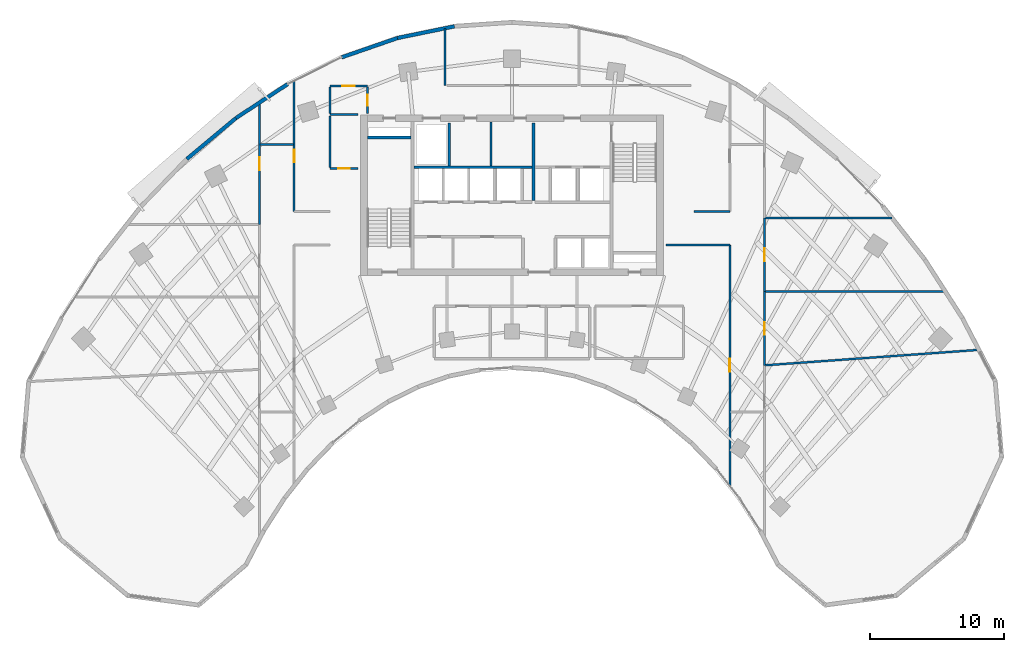
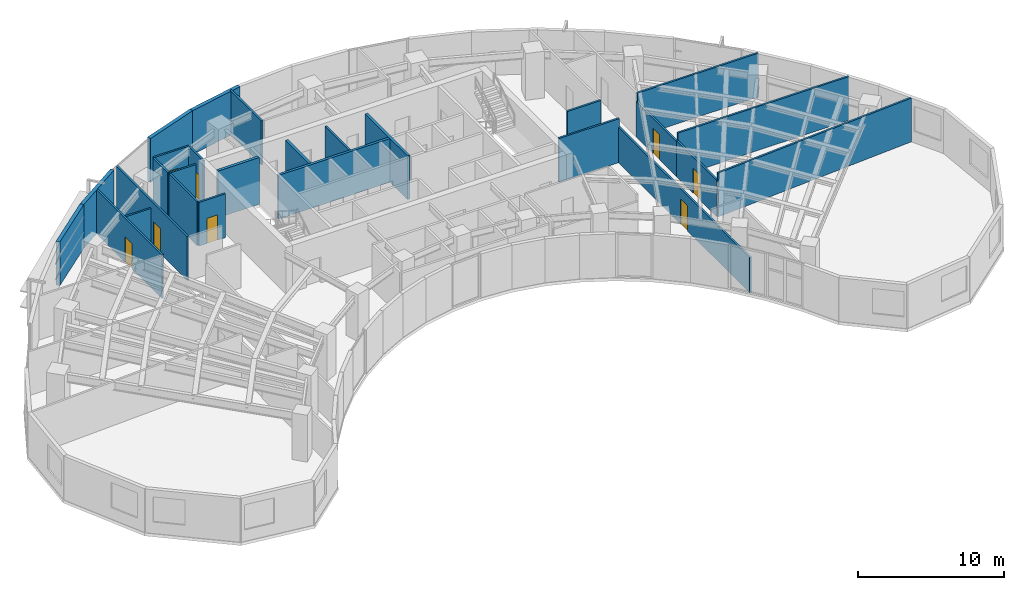
# One storey, part 10 of 14: 27 walls, 8 doors, 8 openings.
"""IFC4 building model written with IfcOpenShell, lengths in metres."""

from ifc_helpers import new_model, si_unit, direction, frame, frame_2d, origin, place, context, subcontext, project, spatial, rectangle, extrude, source, transform, mapped, material, layer, layer_set, type_object, type_shapes, element, fill, save


model = new_model("IFC4")

# Units and contexts
model_context = context("Model", 3, precision=1e-05, world=origin(), true_north=direction((0.0, 1.0)))
body_context = subcontext(model_context, "Body", "Model", "MODEL_VIEW")
ifc_project = project(units=[si_unit("LENGTHUNIT", "METRE"), si_unit("AREAUNIT", "SQUARE_METRE"), si_unit("VOLUMEUNIT", "CUBIC_METRE"), si_unit("PLANEANGLEUNIT", "RADIAN"), si_unit("MASSUNIT", "GRAM", prefix="KILO")], contexts=[model_context])

# Site, building, storey
site_placement = place(None, origin())
site = spatial("IfcSite", under=ifc_project, at=site_placement, CompositionType="ELEMENT")
building_placement = place(site_placement, origin())
building = spatial("IfcBuilding", under=site, at=building_placement, Name="Breltana Convention Tower", CompositionType="ELEMENT")
storey_placement = place(building_placement, frame((0.0, 0.0, 103.800048828125)))
storey = spatial("IfcBuildingStorey", under=building, at=storey_placement, Name="L24", CompositionType="ELEMENT", Elevation=103.800048828125)

# Walls
ifc_material_1 = material(Name="Concrete C50/60", Category="concrete")
ifc_layer_1 = layer(ifc_material_1, 0.39990234375, Name="Concrete C50/60")
ifc_layer_set_1 = layer_set([ifc_layer_1], Name="Concrete C50/60")
wall_type_1 = type_object("IfcWallType", Name="SW-CORE-400", PredefinedType="SHEAR", material=ifc_layer_set_1)
shared_shape_1 = source(origin(), body_context, "Body", "SweptSolid", [
    extrude(rectangle(XDim=3.27001953125, YDim=0.219970703125, at=frame_2d((1.635009765625, 0.0))), origin(), (0.0, 0.0, 1.0), 3.89990234375),
])
wall_1_placement = place(storey_placement, frame((37.199951171875, 70.510009765625, 0.0), z_axis=(0.0, 0.0, 1.0), x_axis=(1.0, 0.0, 0.0)))
element("IfcWall", 1, at=wall_1_placement, inside=storey, type_object=wall_type_1, Name="L24 ST-1 Stairwell North Bearing Wall", PredefinedType="SHEAR", context=body_context, shape_type="MappedRepresentation", body=[
    mapped(shared_shape_1, transform((0.0, 0.0, 0.0), scale=1.0)),
])
ifc_material_2 = material(Name="Limestone Buff Insulated Wall", Category="masonry")
ifc_layer_2 = layer(ifc_material_2, 0.280029296875, Name="Limestone Buff Insulated Wall")
ifc_layer_set_2 = layer_set([ifc_layer_2], Name="Limestone Buff Insulated Wall")
wall_type_2 = type_object("IfcWallType", Name="WL-EXT-NOSE-280", PredefinedType="SOLIDWALL", material=ifc_layer_set_2)
shared_shape_2 = source(origin(), body_context, "Body", "SweptSolid", [
    extrude(rectangle(XDim=4.76220703125, YDim=0.280029296875, at=frame_2d((2.381103515625, 0.0))), origin(), (0.0, 0.0, 1.0), 3.64990234375),
])
wall_2_placement = place(storey_placement, frame((23.724609375, 68.907470703125, 0.0), z_axis=(0.0, 0.0, 1.0), x_axis=(0.767952279762, 0.640507061638, 0.0)))
element("IfcWall", 2, at=wall_2_placement, inside=storey, type_object=wall_type_2, Name="L24 curved limestone nose wall E22", PredefinedType="SOLIDWALL", context=body_context, shape_type="MappedRepresentation", body=[
    mapped(shared_shape_2, transform((0.0, 0.0, 0.0), scale=1.0)),
])
shared_shape_3 = source(origin(), body_context, "Body", "SweptSolid", [
    extrude(rectangle(XDim=4.625732421875, YDim=0.280029296875, at=frame_2d((2.31298828125, 0.0))), origin(), (0.0, 0.0, 1.0), 3.64990234375),
])
wall_3_placement = place(storey_placement, frame((27.3818359375, 71.957763671875, 0.0), z_axis=(0.0, 0.0, 1.0), x_axis=(0.83595938331, 0.548791316855, 0.0)))
element("IfcWall", 3, at=wall_3_placement, inside=storey, type_object=wall_type_2, Name="L24 curved limestone nose wall E23", PredefinedType="SOLIDWALL", context=body_context, shape_type="MappedRepresentation", body=[
    mapped(shared_shape_3, transform((0.0, 0.0, 0.0), scale=1.0)),
])
shared_shape_4 = source(origin(), body_context, "Body", "SweptSolid", [
    extrude(rectangle(XDim=4.408935546875, YDim=0.280029296875, at=frame_2d((2.20458984375, 0.0))), origin(), (0.0, 0.0, 1.0), 3.64990234375),
])
wall_4_placement = place(storey_placement, frame((35.28564453125, 76.497314453125, 0.0), z_axis=(0.0, 0.0, 1.0), x_axis=(0.944879374121, 0.327418643881, 0.0)))
element("IfcWall", 4, at=wall_4_placement, inside=storey, type_object=wall_type_2, Name="L24 curved limestone nose wall E24", PredefinedType="SOLIDWALL", context=body_context, shape_type="MappedRepresentation", body=[
    mapped(shared_shape_4, transform((0.0, 0.0, 0.0), scale=1.0)),
])
shared_shape_5 = source(origin(), body_context, "Body", "SweptSolid", [
    extrude(rectangle(XDim=4.3408203125, YDim=0.280029296875, at=frame_2d((2.17041015625, 0.0))), origin(), (0.0, 0.0, 1.0), 3.64990234375),
])
wall_5_placement = place(storey_placement, frame((39.45166015625, 77.94091796875, 0.0), z_axis=(0.0, 0.0, 1.0), x_axis=(0.979612918634, 0.20089432457, 0.0)))
element("IfcWall", 5, at=wall_5_placement, inside=storey, type_object=wall_type_2, Name="L24 curved limestone nose wall E25", PredefinedType="SOLIDWALL", context=body_context, shape_type="MappedRepresentation", body=[
    mapped(shared_shape_5, transform((0.0, 0.0, 0.0), scale=1.0)),
])
ifc_material_3 = material(Name="Autoclaved Aerated Concrete Block", Category="concrete")
ifc_layer_3 = layer(ifc_material_3, 0.199951171875, Name="Autoclaved Aerated Concrete Block")
ifc_layer_set_3 = layer_set([ifc_layer_3], Name="Autoclaved Aerated Concrete Block")
wall_type_3 = type_object("IfcWallType", Name="WL-SHAFT-200", PredefinedType="SOLIDWALL", material=ifc_layer_set_3)
shared_shape_6 = source(origin(), body_context, "Body", "SweptSolid", [
    extrude(rectangle(XDim=5.800048828125, YDim=0.199951171875, at=frame_2d((2.89990234375, 0.0))), origin(), (0.0, 0.0, 1.0), 3.64990234375),
])
wall_6_placement = place(storey_placement, frame((49.60009765625, 65.800048828125, 0.0), z_axis=(0.0, 0.0, 1.0), x_axis=(0.0, 1.0, 0.0)))
element("IfcWall", 6, at=wall_6_placement, inside=storey, type_object=wall_type_3, Name="L24 interior partition W-L24-FFL-W", PredefinedType="SOLIDWALL", context=body_context, shape_type="MappedRepresentation", body=[
    mapped(shared_shape_6, transform((0.0, 0.0, 0.0), scale=1.0)),
])
shared_shape_7 = source(origin(), body_context, "Body", "SweptSolid", [
    extrude(rectangle(XDim=3.2001953125, YDim=0.199951171875, at=frame_2d((1.60009765625, 0.0))), origin(), (0.0, 0.0, 1.0), 3.64990234375),
])
wall_7_placement = place(storey_placement, frame((43.320068359375, 68.39990234375, 0.0), z_axis=(0.0, 0.0, 1.0), x_axis=(0.0, 1.0, 0.0)))
element("IfcWall", 7, at=wall_7_placement, inside=storey, type_object=wall_type_3, Name="L24 interior partition W-L24-SV-E", PredefinedType="SOLIDWALL", context=body_context, shape_type="MappedRepresentation", body=[
    mapped(shared_shape_7, transform((0.0, 0.0, 0.0), scale=1.0)),
])
shared_shape_8 = source(origin(), body_context, "Body", "SweptSolid", [
    extrude(rectangle(XDim=8.800048828125, YDim=0.199951171875, at=frame_2d((4.39990234375, 0.0))), origin(), (0.0, 0.0, 1.0), 3.64990234375),
])
wall_8_placement = place(storey_placement, frame((40.699951171875, 68.300048828125, 0.0), z_axis=(0.0, 0.0, 1.0), x_axis=(1.0, 0.0, 0.0)))
element("IfcWall", 8, at=wall_8_placement, inside=storey, type_object=wall_type_3, Name="L24 interior partition W-L24-SV-S", PredefinedType="SOLIDWALL", context=body_context, shape_type="MappedRepresentation", body=[
    mapped(shared_shape_8, transform((0.0, 0.0, 0.0), scale=1.0)),
])
ifc_material_4 = material(Name="Gypsum Acoustic Drywall Partition")
ifc_layer_4 = layer(ifc_material_4, 0.14990234375, Name="Gypsum Acoustic Drywall Partition")
ifc_layer_set_4 = layer_set([ifc_layer_4], Name="Gypsum Acoustic Drywall Partition")
wall_type_4 = type_object("IfcWallType", Name="WL-PART-150", PredefinedType="PARTITIONING", material=ifc_layer_set_4)
shared_shape_9 = source(origin(), body_context, "Body", "SweptSolid", [
    extrude(rectangle(XDim=2.5, YDim=0.14990234375, at=frame_2d((1.25, 0.0))), origin(), (0.0, 0.0, 1.0), 3.02197265625),
])
wall_9_placement = place(storey_placement, frame((29.199951171875, 70.0, 0.0), z_axis=(0.0, 0.0, 1.0), x_axis=(1.0, 0.0, 0.0)))
element("IfcWall", 9, at=wall_9_placement, inside=storey, type_object=wall_type_4, Name="L24 interior partition W-L24-CORNW-N", PredefinedType="PARTITIONING", context=body_context, shape_type="MappedRepresentation", body=[
    mapped(shared_shape_9, transform((0.0, 0.0, 0.0), scale=1.0)),
])

# Wall, opening, door
shared_shape_10 = source(origin(), body_context, "Body", "SweptSolid", [
    extrude(rectangle(XDim=9.113037109375, YDim=0.14990234375, at=frame_2d((4.556640625, 0.0))), origin(), (0.0, 0.0, 1.0), 3.64990234375),
])
wall_10_placement = place(storey_placement, frame((29.159912109375, 64.0, 0.0), z_axis=(0.0, 0.0, 1.0), x_axis=(0.0, 1.0, 0.0)))
wall_10 = element("IfcWall", 10, at=wall_10_placement, inside=storey, type_object=wall_type_4, Name="L24 interior partition W-L24-ZW4-E", PredefinedType="PARTITIONING", context=body_context, shape_type="MappedRepresentation", body=[
    mapped(shared_shape_10, transform((0.0, 0.0, 0.0), scale=1.0)),
])
opening_1_placement = place(wall_10_placement, frame((4.08154296875, 0.0, 0.0)))
opening_1 = element("IfcOpeningElement", 11, at=opening_1_placement, cuts=wall_10, Name="Opening D-17", PredefinedType="OPENING", context=body_context, shape_type="SweptSolid", body=[
    extrude(rectangle(XDim=0.949951171875, YDim=2.10009765625, at=frame_2d((0.47509765625, 1.050048828125))), frame((0.0, 0.0849609375, 0.0), z_axis=(0.0, -1.0, 0.0), x_axis=(1.0, 0.0, 0.0)), (0.0, 0.0, 1.0), 0.169921875),
])
ifc_material_5 = material(Name="Timber Oak Veneer Door", Category="wood")
door_type_1 = type_object("IfcDoorType", Name="DR-INT-950", OperationType="NOTDEFINED", PredefinedType="DOOR", material=ifc_material_5)
shared_shape_11 = source(origin(), body_context, "Body", "SweptSolid", [
    extrude(rectangle(XDim=0.949951171875, YDim=2.10009765625, at=frame_2d((0.47509765625, 1.050048828125))), frame((0.0, 0.02490234375, 0.0), z_axis=(0.0, -1.0, 0.0), x_axis=(1.0, 0.0, 0.0)), (0.0, 0.0, 1.0), 0.050048828125),
])
type_shapes(door_type_1, [shared_shape_11])
door_1_placement = place(opening_1_placement, origin())
door_1 = element("IfcDoor", 12, at=door_1_placement, inside=storey, type_object=door_type_1, Name="L24 interior door D-L24-ZW4", OperationType="SINGLE_SWING_LEFT", OverallHeight=2.10009765625, OverallWidth=0.949951171875, PredefinedType="DOOR", context=body_context, shape_type="MappedRepresentation", body=[
    mapped(shared_shape_11, transform((0.0, 0.0, 0.0), scale=1.0)),
])
fill(opening_1, door_1)

# Wall
shared_shape_12 = source(origin(), body_context, "Body", "SweptSolid", [
    extrude(rectangle(XDim=15.924072265625, YDim=0.14990234375, at=frame_2d((7.9619140625, 0.0))), origin(), (0.0, 0.0, 1.0), 3.64990234375),
])
wall_11_placement = place(storey_placement, frame((66.840087890625, 53.5, 0.0), z_axis=(0.0, 0.0, 1.0), x_axis=(0.997397082693, 0.072104503572, 0.0)))
element("IfcWall", 13, at=wall_11_placement, inside=storey, type_object=wall_type_4, Name="L24 interior partition W-L24-ZE1-N", PredefinedType="PARTITIONING", context=body_context, shape_type="MappedRepresentation", body=[
    mapped(shared_shape_12, transform((0.0, 0.0, 0.0), scale=1.0)),
])

# Wall, opening, door
shared_shape_13 = source(origin(), body_context, "Body", "SweptSolid", [
    extrude(rectangle(XDim=5.5, YDim=0.14990234375, at=frame_2d((2.75, 0.0))), origin(), (0.0, 0.0, 1.0), 3.02197265625),
])
wall_12_placement = place(storey_placement, frame((66.840087890625, 53.5, 0.0), z_axis=(0.0, 0.0, 1.0), x_axis=(0.0, 1.0, 0.0)))
wall_12 = element("IfcWall", 14, at=wall_12_placement, inside=storey, type_object=wall_type_4, Name="L24 interior partition W-L24-ZE2-W", PredefinedType="PARTITIONING", context=body_context, shape_type="MappedRepresentation", body=[
    mapped(shared_shape_13, transform((0.0, 0.0, 0.0), scale=1.0)),
])
opening_2_placement = place(wall_12_placement, frame((2.27490234375, 0.0, 0.0)))
opening_2 = element("IfcOpeningElement", 15, at=opening_2_placement, cuts=wall_12, Name="Opening D-17", PredefinedType="OPENING", context=body_context, shape_type="SweptSolid", body=[
    extrude(rectangle(XDim=0.949951171875, YDim=2.10009765625, at=frame_2d((0.47509765625, 1.050048828125))), frame((0.0, 0.0849609375, 0.0), z_axis=(0.0, -1.0, 0.0), x_axis=(1.0, 0.0, 0.0)), (0.0, 0.0, 1.0), 0.169921875),
])
door_2_placement = place(opening_2_placement, origin())
door_2 = element("IfcDoor", 16, at=door_2_placement, inside=storey, type_object=door_type_1, Name="L24 interior door D-L24-ZE2", OperationType="SINGLE_SWING_LEFT", OverallHeight=2.10009765625, OverallWidth=0.949951171875, PredefinedType="DOOR", context=body_context, shape_type="MappedRepresentation", body=[
    mapped(shared_shape_11, transform((0.0, 0.0, 0.0), scale=1.0)),
])
fill(opening_2, door_2)

# Wall
shared_shape_14 = source(origin(), body_context, "Body", "SweptSolid", [
    extrude(rectangle(XDim=13.500244140625, YDim=0.14990234375, at=frame_2d((6.75, 0.0))), origin(), (0.0, 0.0, 1.0), 3.64990234375),
])
wall_13_placement = place(storey_placement, frame((66.840087890625, 59.0, 0.0), z_axis=(0.0, 0.0, 1.0), x_axis=(1.0, 0.0, 0.0)))
element("IfcWall", 17, at=wall_13_placement, inside=storey, type_object=wall_type_4, Name="L24 interior partition W-L24-ZE2-N", PredefinedType="PARTITIONING", context=body_context, shape_type="MappedRepresentation", body=[
    mapped(shared_shape_14, transform((0.0, 0.0, 0.0), scale=1.0)),
])

# Wall, opening, door
shared_shape_15 = source(origin(), body_context, "Body", "SweptSolid", [
    extrude(rectangle(XDim=5.5, YDim=0.14990234375, at=frame_2d((2.75, 0.0))), origin(), (0.0, 0.0, 1.0), 2.94189453125),
])
wall_14_placement = place(storey_placement, frame((66.840087890625, 59.0, 0.0), z_axis=(0.0, 0.0, 1.0), x_axis=(0.0, 1.0, 0.0)))
wall_14 = element("IfcWall", 18, at=wall_14_placement, inside=storey, type_object=wall_type_4, Name="L24 interior partition W-L24-ZE3-W", PredefinedType="PARTITIONING", context=body_context, shape_type="MappedRepresentation", body=[
    mapped(shared_shape_15, transform((0.0, 0.0, 0.0), scale=1.0)),
])
opening_3_placement = place(wall_14_placement, frame((2.27490234375, 0.0, 0.0)))
opening_3 = element("IfcOpeningElement", 19, at=opening_3_placement, cuts=wall_14, Name="Opening D-17", PredefinedType="OPENING", context=body_context, shape_type="SweptSolid", body=[
    extrude(rectangle(XDim=0.949951171875, YDim=2.10009765625, at=frame_2d((0.47509765625, 1.050048828125))), frame((0.0, 0.0849609375, 0.0), z_axis=(0.0, -1.0, 0.0), x_axis=(1.0, 0.0, 0.0)), (0.0, 0.0, 1.0), 0.169921875),
])
door_3_placement = place(opening_3_placement, origin())
door_3 = element("IfcDoor", 20, at=door_3_placement, inside=storey, type_object=door_type_1, Name="L24 interior door D-L24-ZE3", OperationType="SINGLE_SWING_RIGHT", OverallHeight=2.10009765625, OverallWidth=0.949951171875, PredefinedType="DOOR", context=body_context, shape_type="MappedRepresentation", body=[
    mapped(shared_shape_11, transform((0.0, 0.0, 0.0), scale=1.0)),
])
fill(opening_3, door_3)

# Walls
shared_shape_16 = source(origin(), body_context, "Body", "SweptSolid", [
    extrude(rectangle(XDim=9.521240234375, YDim=0.14990234375, at=frame_2d((4.7607421875, 0.0))), origin(), (0.0, 0.0, 1.0), 3.64990234375),
])
wall_15_placement = place(storey_placement, frame((66.840087890625, 64.5, 0.0), z_axis=(0.0, 0.0, 1.0), x_axis=(1.0, 0.0, 0.0)))
element("IfcWall", 21, at=wall_15_placement, inside=storey, type_object=wall_type_4, Name="L24 interior partition W-L24-ZE3-N", PredefinedType="PARTITIONING", context=body_context, shape_type="MappedRepresentation", body=[
    mapped(shared_shape_16, transform((0.0, 0.0, 0.0), scale=1.0)),
])
shared_shape_17 = source(origin(), body_context, "Body", "SweptSolid", [
    extrude(rectangle(XDim=4.258544921875, YDim=0.14990234375, at=frame_2d((2.12939453125, 0.0))), origin(), (0.0, 0.0, 1.0), 3.64990234375),
])
wall_16_placement = place(storey_placement, frame((43.0, 74.39990234375, 0.0), z_axis=(0.0, 0.0, 1.0), x_axis=(0.0, 1.0, 0.0)))
element("IfcWall", 22, at=wall_16_placement, inside=storey, type_object=wall_type_4, Name="L24 interior partition W-L24-ZN1-E", PredefinedType="PARTITIONING", context=body_context, shape_type="MappedRepresentation", body=[
    mapped(shared_shape_17, transform((0.0, 0.0, 0.0), scale=1.0)),
])

# Wall, opening, door
shared_shape_18 = source(origin(), body_context, "Body", "SweptSolid", [
    extrude(rectangle(XDim=17.973876953125, YDim=0.14990234375, at=frame_2d((8.98681640625, 0.0))), origin(), (0.0, 0.0, 1.0), 2.94189453125),
])
wall_17_placement = place(storey_placement, frame((64.260009765625, 44.526123046875, 0.0), z_axis=(0.0, 0.0, 1.0), x_axis=(0.0, 1.0, 0.0)))
wall_17 = element("IfcWall", 23, at=wall_17_placement, inside=storey, type_object=wall_type_4, Name="L24 interior partition W-L24-ZME1-D", PredefinedType="PARTITIONING", context=body_context, shape_type="MappedRepresentation", body=[
    mapped(shared_shape_18, transform((0.0, 0.0, 0.0), scale=1.0)),
])
opening_4_placement = place(wall_17_placement, frame((8.511962890625, 0.0, 0.0)))
opening_4 = element("IfcOpeningElement", 24, at=opening_4_placement, cuts=wall_17, Name="Opening D-17", PredefinedType="OPENING", context=body_context, shape_type="SweptSolid", body=[
    extrude(rectangle(XDim=0.949951171875, YDim=2.10009765625, at=frame_2d((0.47509765625, 1.050048828125))), frame((0.0, 0.0849609375, 0.0), z_axis=(0.0, -1.0, 0.0), x_axis=(1.0, 0.0, 0.0)), (0.0, 0.0, 1.0), 0.169921875),
])
door_4_placement = place(opening_4_placement, origin())
door_4 = element("IfcDoor", 25, at=door_4_placement, inside=storey, type_object=door_type_1, Name="L24 interior door D-L24-ZME1", OperationType="SINGLE_SWING_LEFT", OverallHeight=2.10009765625, OverallWidth=0.949951171875, PredefinedType="DOOR", context=body_context, shape_type="MappedRepresentation", body=[
    mapped(shared_shape_11, transform((0.0, 0.0, 0.0), scale=1.0)),
])
fill(opening_4, door_4)

# Wall
shared_shape_19 = source(origin(), body_context, "Body", "SweptSolid", [
    extrude(rectangle(XDim=2.659912109375, YDim=0.14990234375, at=frame_2d((1.330078125, 0.0))), origin(), (0.0, 0.0, 1.0), 3.64990234375),
])
wall_18_placement = place(storey_placement, frame((61.60009765625, 65.0, 0.0), z_axis=(0.0, 0.0, 1.0), x_axis=(1.0, 0.0, 0.0)))
element("IfcWall", 26, at=wall_18_placement, inside=storey, type_object=wall_type_4, Name="L24 interior partition W-L24-ZME2-TS", PredefinedType="PARTITIONING", context=body_context, shape_type="MappedRepresentation", body=[
    mapped(shared_shape_19, transform((0.0, 0.0, 0.0), scale=1.0)),
])

# Wall, opening, door
shared_shape_20 = source(origin(), body_context, "Body", "SweptSolid", [
    extrude(rectangle(XDim=9.728515625, YDim=0.14990234375, at=frame_2d((4.8642578125, 0.0))), origin(), (0.0, 0.0, 1.0), 3.64990234375),
])
wall_19_placement = place(storey_placement, frame((31.739990234375, 65.0, 0.0), z_axis=(0.0, 0.0, 1.0), x_axis=(0.0, 1.0, 0.0)))
wall_19 = element("IfcWall", 27, at=wall_19_placement, inside=storey, type_object=wall_type_4, Name="L24 interior partition W-L24-ZMW2-D", PredefinedType="PARTITIONING", context=body_context, shape_type="MappedRepresentation", body=[
    mapped(shared_shape_20, transform((0.0, 0.0, 0.0), scale=1.0)),
])
opening_5_placement = place(wall_19_placement, frame((3.64990234375, 0.0, 0.0)))
opening_5 = element("IfcOpeningElement", 28, at=opening_5_placement, cuts=wall_19, Name="Opening D-17", PredefinedType="OPENING", context=body_context, shape_type="SweptSolid", body=[
    extrude(rectangle(XDim=0.949951171875, YDim=2.10009765625, at=frame_2d((0.47509765625, 1.050048828125))), frame((0.0, 0.0849609375, 0.0), z_axis=(0.0, -1.0, 0.0), x_axis=(1.0, 0.0, 0.0)), (0.0, 0.0, 1.0), 0.169921875),
])
door_5_placement = place(opening_5_placement, origin())
door_5 = element("IfcDoor", 29, at=door_5_placement, inside=storey, type_object=door_type_1, Name="L24 interior door D-L24-ZMW2", OperationType="SINGLE_SWING_RIGHT", OverallHeight=2.10009765625, OverallWidth=0.949951171875, PredefinedType="DOOR", context=body_context, shape_type="MappedRepresentation", body=[
    mapped(shared_shape_11, transform((0.0, 0.0, 0.0), scale=1.0)),
])
fill(opening_5, door_5)

# Walls
shared_shape_21 = source(origin(), body_context, "Body", "SweptSolid", [
    extrude(rectangle(XDim=4.760009765625, YDim=0.14990234375, at=frame_2d((2.3798828125, 0.0))), origin(), (0.0, 0.0, 1.0), 3.64990234375),
])
wall_20_placement = place(storey_placement, frame((59.5, 62.5, 0.0), z_axis=(0.0, 0.0, 1.0), x_axis=(1.0, 0.0, 0.0)))
element("IfcWall", 30, at=wall_20_placement, inside=storey, type_object=wall_type_4, Name="L24 interior partition W-L24-ZME1-TN", PredefinedType="PARTITIONING", context=body_context, shape_type="MappedRepresentation", body=[
    mapped(shared_shape_21, transform((0.0, 0.0, 0.0), scale=1.0)),
])
shared_shape_22 = source(origin(), body_context, "Body", "SweptSolid", [
    extrude(rectangle(XDim=3.280029296875, YDim=0.14990234375, at=frame_2d((1.64013671875, 0.0))), origin(), (0.0, 0.0, 1.0), 3.64990234375),
])
wall_21_placement = place(storey_placement, frame((46.449951171875, 68.39990234375, 0.0), z_axis=(0.0, 0.0, 1.0), x_axis=(0.0, 1.0, 0.0)))
element("IfcWall", 31, at=wall_21_placement, inside=storey, type_object=wall_type_4, Name="L24 interior partition W-L24-KV-1", PredefinedType="PARTITIONING", context=body_context, shape_type="MappedRepresentation", body=[
    mapped(shared_shape_22, transform((0.0, 0.0, 0.0), scale=1.0)),
])
shared_shape_23 = source(origin(), body_context, "Body", "SweptSolid", [
    extrude(rectangle(XDim=2.10009765625, YDim=0.14990234375, at=frame_2d((1.050048828125, 0.0))), origin(), (0.0, 0.0, 1.0), 3.64990234375),
])
wall_22_placement = place(storey_placement, frame((34.39990234375, 72.219970703125, 0.0), z_axis=(0.0, 0.0, 1.0), x_axis=(1.0, 0.0, 0.0)))
element("IfcWall", 32, at=wall_22_placement, inside=storey, type_object=wall_type_4, Name="L24 interior partition W-L24-CRNW-S", PredefinedType="PARTITIONING", context=body_context, shape_type="MappedRepresentation", body=[
    mapped(shared_shape_23, transform((0.0, 0.0, 0.0), scale=1.0)),
])

# Wall, opening, door
wall_23_placement = place(storey_placement, frame((34.39990234375, 68.199951171875, 0.0), z_axis=(0.0, 0.0, 1.0), x_axis=(1.0, 0.0, 0.0)))
wall_23 = element("IfcWall", 33, at=wall_23_placement, inside=storey, type_object=wall_type_4, Name="L24 interior partition W-L24-CRSW-S", PredefinedType="PARTITIONING", context=body_context, shape_type="MappedRepresentation", body=[
    mapped(shared_shape_23, transform((0.0, 0.0, 0.0), scale=1.0)),
])
opening_6_placement = place(wall_23_placement, frame((0.625, 0.0, 0.0)))
opening_6 = element("IfcOpeningElement", 34, at=opening_6_placement, cuts=wall_23, Name="Opening D-20", PredefinedType="OPENING", context=body_context, shape_type="SweptSolid", body=[
    extrude(rectangle(XDim=0.85009765625, YDim=2.10009765625, at=frame_2d((0.425048828125, 1.050048828125))), frame((0.0, 0.0849609375, 0.0), z_axis=(0.0, -1.0, 0.0), x_axis=(1.0, 0.0, 0.0)), (0.0, 0.0, 1.0), 0.169921875),
])
ifc_material_6 = material(Name="Steel Closet Fire Door", Category="steel")
door_type_2 = type_object("IfcDoorType", Name="DR-FD60-850", OperationType="NOTDEFINED", PredefinedType="DOOR", material=ifc_material_6)
shared_shape_24 = source(origin(), body_context, "Body", "SweptSolid", [
    extrude(rectangle(XDim=0.85009765625, YDim=2.10009765625, at=frame_2d((0.425048828125, 1.050048828125))), frame((0.0, 0.02490234375, 0.0), z_axis=(0.0, -1.0, 0.0), x_axis=(1.0, 0.0, 0.0)), (0.0, 0.0, 1.0), 0.050048828125),
])
type_shapes(door_type_2, [shared_shape_24])
door_6_placement = place(opening_6_placement, origin())
door_6 = element("IfcDoor", 35, at=door_6_placement, inside=storey, type_object=door_type_2, Name="L24 interior door D-L24-CRSW", OperationType="SINGLE_SWING_LEFT", OverallHeight=2.10009765625, OverallWidth=0.85009765625, PredefinedType="DOOR", context=body_context, shape_type="MappedRepresentation", body=[
    mapped(shared_shape_24, transform((0.0, 0.0, 0.0), scale=1.0)),
])
fill(opening_6, door_6)

shared_shape_25 = source(origin(), body_context, "Body", "SweptSolid", [
    extrude(rectangle(XDim=2.800048828125, YDim=0.14990234375, at=frame_2d((1.39990234375, 0.0))), origin(), (0.0, 0.0, 1.0), 3.64990234375),
])
wall_24_placement = place(storey_placement, frame((34.39990234375, 74.35009765625, 0.0), z_axis=(0.0, 0.0, 1.0), x_axis=(1.0, 0.0, 0.0)))
wall_24 = element("IfcWall", 36, at=wall_24_placement, inside=storey, type_object=wall_type_4, Name="L24 interior partition W-L24-CRNW-N", PredefinedType="PARTITIONING", context=body_context, shape_type="MappedRepresentation", body=[
    mapped(shared_shape_25, transform((0.0, 0.0, 0.0), scale=1.0)),
])
opening_7_placement = place(wall_24_placement, frame((0.925048828125, 0.0, 0.0)))
opening_7 = element("IfcOpeningElement", 37, at=opening_7_placement, cuts=wall_24, Name="Opening D-17", PredefinedType="OPENING", context=body_context, shape_type="SweptSolid", body=[
    extrude(rectangle(XDim=0.949951171875, YDim=2.10009765625, at=frame_2d((0.47509765625, 1.050048828125))), frame((0.0, 0.0849609375, 0.0), z_axis=(0.0, -1.0, 0.0), x_axis=(1.0, 0.0, 0.0)), (0.0, 0.0, 1.0), 0.169921875),
])
door_7_placement = place(opening_7_placement, origin())
door_7 = element("IfcDoor", 38, at=door_7_placement, inside=storey, type_object=door_type_1, Name="L24 interior door D-L24-ZN1", OperationType="SINGLE_SWING_RIGHT", OverallHeight=2.10009765625, OverallWidth=0.949951171875, PredefinedType="DOOR", context=body_context, shape_type="MappedRepresentation", body=[
    mapped(shared_shape_11, transform((0.0, 0.0, 0.0), scale=1.0)),
])
fill(opening_7, door_7)

# Wall
shared_shape_26 = source(origin(), body_context, "Body", "SweptSolid", [
    extrude(rectangle(XDim=1.994873046875, YDim=0.14990234375, at=frame_2d((0.99755859375, 0.0))), origin(), (0.0, 0.0, 1.0), 3.64990234375),
])
wall_25_placement = place(storey_placement, frame((34.39990234375, 72.28759765625, 0.0), z_axis=(0.0, 0.0, 1.0), x_axis=(0.0, 1.0, 0.0)))
element("IfcWall", 39, at=wall_25_placement, inside=storey, type_object=wall_type_4, Name="L24 interior partition W-L24-CRNW-W", PredefinedType="PARTITIONING", context=body_context, shape_type="MappedRepresentation", body=[
    mapped(shared_shape_26, transform((0.0, 0.0, 0.0), scale=1.0)),
])

# Wall, opening, door
shared_shape_27 = source(origin(), body_context, "Body", "SweptSolid", [
    extrude(rectangle(XDim=1.982421875, YDim=0.14990234375, at=frame_2d((0.9912109375, 0.0))), origin(), (0.0, 0.0, 1.0), 3.64990234375),
])
wall_26_placement = place(storey_placement, frame((37.199951171875, 72.300048828125, 0.0), z_axis=(0.0, 0.0, 1.0), x_axis=(0.0, 1.0, 0.0)))
wall_26 = element("IfcWall", 40, at=wall_26_placement, inside=storey, type_object=wall_type_4, Name="L24 interior partition W-L24-CRNW-E", PredefinedType="PARTITIONING", context=body_context, shape_type="MappedRepresentation", body=[
    mapped(shared_shape_27, transform((0.0, 0.0, 0.0), scale=1.0)),
])
opening_8_placement = place(wall_26_placement, frame((0.56640625, 0.0, 0.0)))
opening_8 = element("IfcOpeningElement", 41, at=opening_8_placement, cuts=wall_26, Name="Opening D-20", PredefinedType="OPENING", context=body_context, shape_type="SweptSolid", body=[
    extrude(rectangle(XDim=0.85009765625, YDim=2.10009765625, at=frame_2d((0.425048828125, 1.050048828125))), frame((0.0, 0.0849609375, 0.0), z_axis=(0.0, -1.0, 0.0), x_axis=(1.0, 0.0, 0.0)), (0.0, 0.0, 1.0), 0.169921875),
])
door_8_placement = place(opening_8_placement, origin())
door_8 = element("IfcDoor", 42, at=door_8_placement, inside=storey, type_object=door_type_2, Name="L24 interior door D-L24-CRNW", OperationType="SINGLE_SWING_RIGHT", OverallHeight=2.10009765625, OverallWidth=0.85009765625, PredefinedType="DOOR", context=body_context, shape_type="MappedRepresentation", body=[
    mapped(shared_shape_24, transform((0.0, 0.0, 0.0), scale=1.0)),
])
fill(opening_8, door_8)

# Wall
shared_shape_28 = source(origin(), body_context, "Body", "SweptSolid", [
    extrude(rectangle(XDim=3.844970703125, YDim=0.14990234375, at=frame_2d((1.92236328125, 0.0))), origin(), (0.0, 0.0, 1.0), 3.64990234375),
])
wall_27_placement = place(storey_placement, frame((34.39990234375, 68.267578125, 0.0), z_axis=(0.0, 0.0, 1.0), x_axis=(0.0, 1.0, 0.0)))
element("IfcWall", 43, at=wall_27_placement, inside=storey, type_object=wall_type_4, Name="L24 interior partition W-L24-CRSW-W", PredefinedType="PARTITIONING", context=body_context, shape_type="MappedRepresentation", body=[
    mapped(shared_shape_28, transform((0.0, 0.0, 0.0), scale=1.0)),
])

save(model, "model.ifc")
